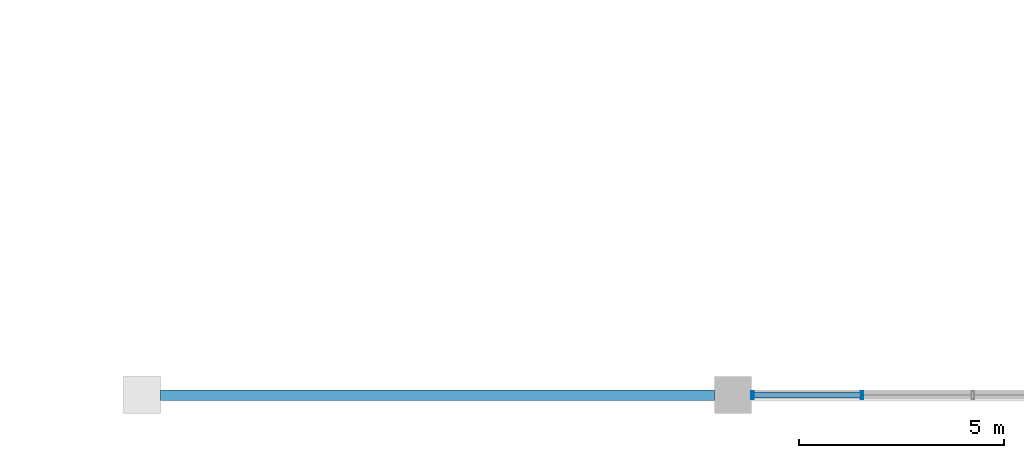
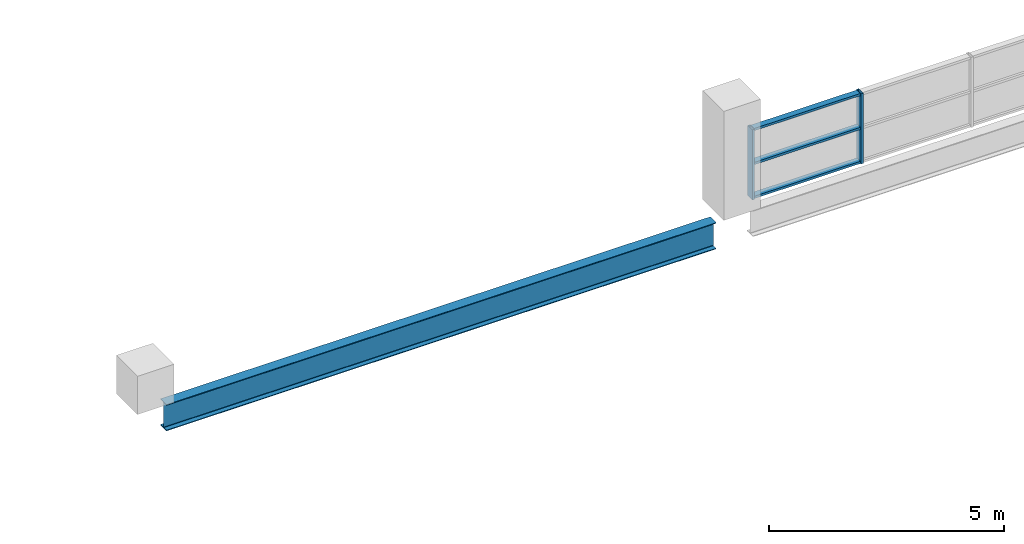
# One storey, part 23 of 68: 5 members, 1 beam, 1 element without a shape of its own.
"""IFC4 building model written with IfcOpenShell, lengths in metres."""

from ifc_helpers import new_model, si_unit, direction, frame, origin, origin_2d, place, context, subcontext, project, spatial, hollow_rectangle, i_section, extrude, material, material_profile, profile_set, type_object, element, aggregate, save


model = new_model("IFC4")

# Units and contexts
model_context = context("Model", 3, precision=1e-05, world=origin(), true_north=direction((0.0, 1.0)))
body_context = subcontext(model_context, "Body", "Model", "MODEL_VIEW")
ifc_project = project(units=[si_unit("LENGTHUNIT", "METRE"), si_unit("AREAUNIT", "SQUARE_METRE"), si_unit("VOLUMEUNIT", "CUBIC_METRE"), si_unit("PLANEANGLEUNIT", "RADIAN"), si_unit("MASSUNIT", "GRAM", prefix="KILO"), si_unit("THERMODYNAMICTEMPERATUREUNIT", "KELVIN")], contexts=[model_context])

# Site, building, storey
site_placement = place(None, origin())
site = spatial("IfcSite", under=ifc_project, at=site_placement, CompositionType="ELEMENT")
building_placement = place(site_placement, origin())
building = spatial("IfcBuilding", under=site, at=building_placement, Name="Nduvali Passage Aquatics Centre", CompositionType="ELEMENT")
storey_placement = place(building_placement, frame((0.0, 0.0, 13.199951171875)))
storey = spatial("IfcBuildingStorey", under=building, at=storey_placement, Name="L03", CompositionType="ELEMENT", Elevation=13.199951171875)

# Curtain wall, members
ifc_material_1 = material(Name="Aluminium EN AW-6063 T6", Category="aluminium")
curtain_wall_type = type_object("IfcCurtainWallType", Name="ENV-CW-CLER", PredefinedType="NOTDEFINED", material=ifc_material_1)
curtain_wall_placement = place(storey_placement, origin())
curtain_wall = element("IfcCurtainWall", 1, at=curtain_wall_placement, inside=storey, type_object=curtain_wall_type, Name="L03 South Pool Hall Upper Saddle Clerestory 053", PredefinedType="NOTDEFINED")
ifc_material_profile_1 = material_profile(ifc_material_1, hollow_rectangle(XDim=0.06005859375, YDim=0.199951171875, WallThickness=0.00390625, at=origin_2d()), Name="ALU MULLION 60x200x4")
ifc_profile_set_1 = profile_set([ifc_material_profile_1], Name="Aluminium EN AW-6063 T6")
member_type_1 = type_object("IfcMemberType", Name="ENV-MEM-MUL80", PredefinedType="MULLION", material=ifc_profile_set_1)
member_1_placement = place(storey_placement, frame((112.080078125, 25.199951171875, 0.0), z_axis=(0.0, 0.0, 1.0), x_axis=(1.0, 0.0, 0.0)))
member_1 = element("IfcMember", 2, at=member_1_placement, type_object=member_type_1, Name="South Pool Hall Upper Saddle Clerestory Mullion 1", PredefinedType="MULLION", context=body_context, shape_type="SweptSolid", body=[
    extrude(hollow_rectangle(XDim=0.06005859375, YDim=0.199951171875, WallThickness=0.00390625, at=origin_2d()), origin(), (0.0, 0.0, 1.0), 1.821044921875),
])
member_2_placement = place(storey_placement, frame((114.75, 25.199951171875, 0.0), z_axis=(0.0, 0.0, 1.0), x_axis=(1.0, 0.0, 0.0)))
member_2 = element("IfcMember", 3, at=member_2_placement, type_object=member_type_1, Name="South Pool Hall Upper Saddle Clerestory Mullion 2", PredefinedType="MULLION", context=body_context, shape_type="SweptSolid", body=[
    extrude(hollow_rectangle(XDim=0.06005859375, YDim=0.199951171875, WallThickness=0.00390625, at=origin_2d()), origin(), (0.0, 0.0, 1.0), 1.821044921875),
])
ifc_material_profile_2 = material_profile(ifc_material_1, hollow_rectangle(XDim=0.14990234375, YDim=0.06005859375, WallThickness=0.00390625, at=origin_2d()), Name="ALU TRANSOM 150x60x4")
ifc_profile_set_2 = profile_set([ifc_material_profile_2], Name="Aluminium EN AW-6063 T6")
member_type_2 = type_object("IfcMemberType", Name="ENV-MEM-TRN80", PredefinedType="USERDEFINED", material=ifc_profile_set_2)
member_3_placement = place(storey_placement, frame((112.110107421875, 25.199951171875, 0.030029296875), z_axis=(1.0, 0.0, 0.0), x_axis=(0.0, 1.0, 0.0)))
member_3 = element("IfcMember", 4, at=member_3_placement, type_object=member_type_2, Name="South Pool Hall Upper Saddle Clerestory Transom B1-R0", ObjectType="TRANSOM", PredefinedType="USERDEFINED", context=body_context, shape_type="SweptSolid", body=[
    extrude(hollow_rectangle(XDim=0.14990234375, YDim=0.06005859375, WallThickness=0.00390625, at=origin_2d()), origin(), (0.0, 0.0, 1.0), 2.60986328125),
])
member_4_placement = place(storey_placement, frame((112.110107421875, 25.199951171875, 0.91064453125), z_axis=(1.0, 0.0, 0.0), x_axis=(0.0, 1.0, 0.0)))
member_4 = element("IfcMember", 5, at=member_4_placement, type_object=member_type_2, Name="South Pool Hall Upper Saddle Clerestory Transom B1-R1", ObjectType="TRANSOM", PredefinedType="USERDEFINED", context=body_context, shape_type="SweptSolid", body=[
    extrude(hollow_rectangle(XDim=0.14990234375, YDim=0.06005859375, WallThickness=0.00390625, at=origin_2d()), origin(), (0.0, 0.0, 1.0), 2.60986328125),
])
member_5_placement = place(storey_placement, frame((112.110107421875, 25.199951171875, 1.791015625), z_axis=(1.0, 0.0, 0.0), x_axis=(0.0, 1.0, 0.0)))
member_5 = element("IfcMember", 6, at=member_5_placement, type_object=member_type_2, Name="South Pool Hall Upper Saddle Clerestory Transom B1-R2", ObjectType="TRANSOM", PredefinedType="USERDEFINED", context=body_context, shape_type="SweptSolid", body=[
    extrude(hollow_rectangle(XDim=0.14990234375, YDim=0.06005859375, WallThickness=0.00390625, at=origin_2d()), origin(), (0.0, 0.0, 1.0), 2.60986328125),
])
aggregate(curtain_wall, [member_1, member_2, member_3, member_4, member_5])

# Beam
ifc_material_2 = material(Name="Steel S355", Category="steel")
ifc_material_profile_3 = material_profile(ifc_material_2, i_section(OverallWidth=0.253662109375, OverallDepth=0.68359375, WebThickness=0.012451171875, FlangeThickness=0.01904296875, FilletRadius=0.01513671875, at=origin_2d()), Name="UKB 686x254x140")
ifc_profile_set_3 = profile_set([ifc_material_profile_3], Name="Steel S355")
beam_type = type_object("IfcBeamType", Name="STR-BM-UKB686-EXT", PredefinedType="BEAM", material=ifc_profile_set_3)
beam_placement = place(storey_placement, frame((97.64990234375, 25.199951171875, -0.595703125), z_axis=(1.0, 0.0, 0.0), x_axis=(0.0, 1.0, 0.0)))
element("IfcBeam", 7, at=beam_placement, inside=storey, type_object=beam_type, Name="L03 Primary X-Girder B4E-1203", PredefinedType="BEAM", context=body_context, shape_type="SweptSolid", body=[
    extrude(i_section(OverallWidth=0.253662109375, OverallDepth=0.68359375, WebThickness=0.012451171875, FlangeThickness=0.01904296875, FilletRadius=0.01513671875, at=origin_2d()), origin(), (0.0, 0.0, 1.0), 13.5),
])

save(model, "model.ifc")
